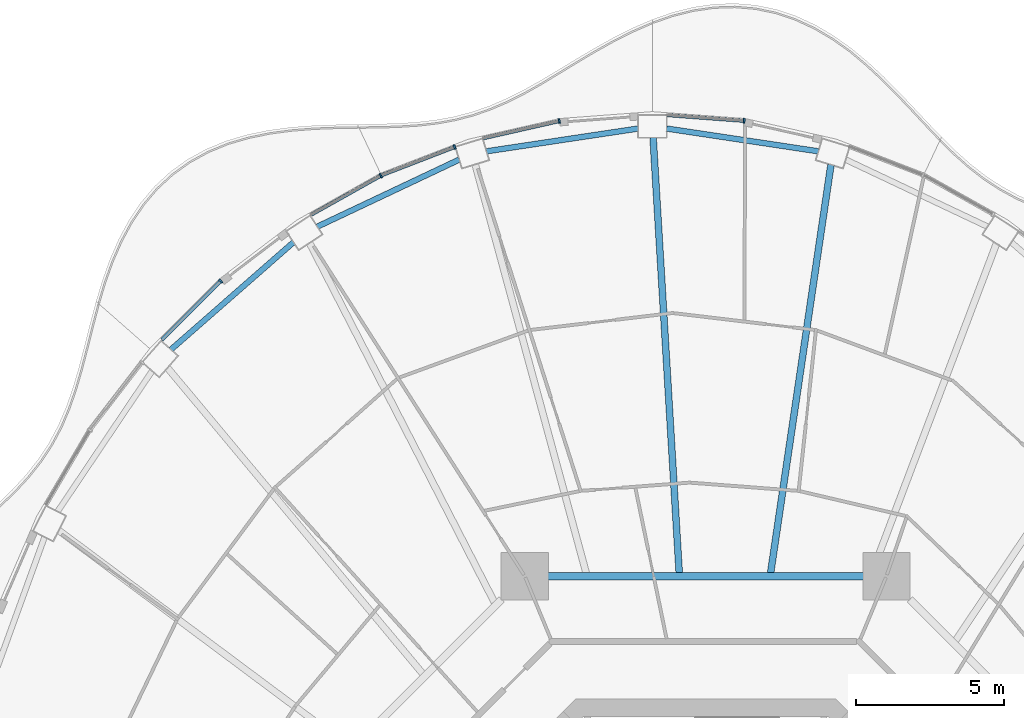
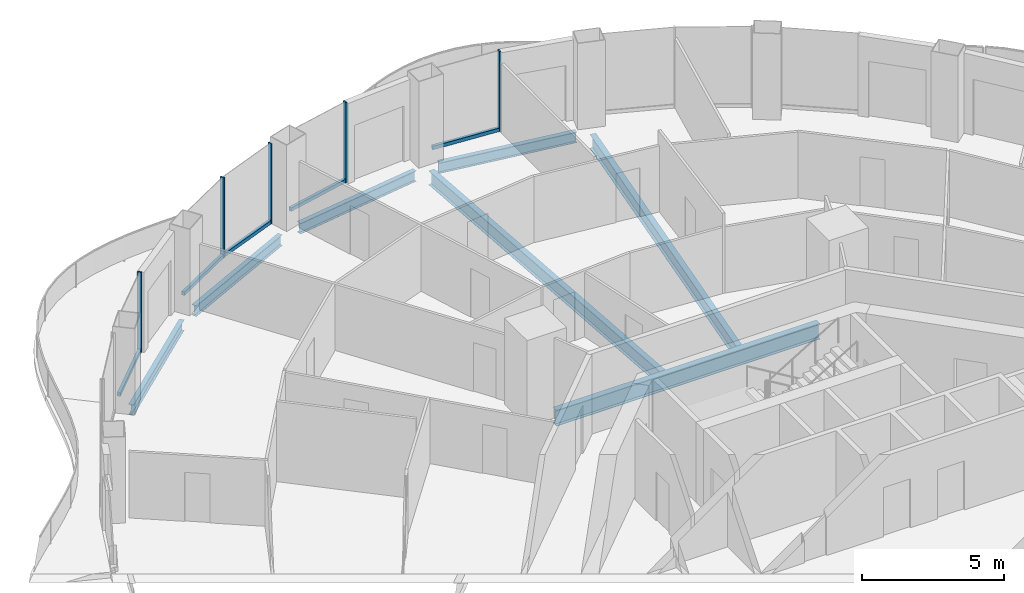
# One storey, part 6 of 18: 10 members, 7 beams, 5 elements without a shape of their own.
"""IFC4 building model written with IfcOpenShell, lengths in metres."""

from ifc_helpers import new_model, si_unit, direction, frame, origin, origin_2d, place, context, subcontext, project, spatial, rectangle, i_section, extrude, material, layer, layer_set, material_profile, profile_set, type_object, element, aggregate, save


model = new_model("IFC4")

# Units and contexts
model_context = context("Model", 3, precision=1e-05, world=origin(), true_north=direction((0.0, 1.0)))
body_context = subcontext(model_context, "Body", "Model", "MODEL_VIEW")
ifc_project = project(units=[si_unit("LENGTHUNIT", "METRE"), si_unit("AREAUNIT", "SQUARE_METRE"), si_unit("VOLUMEUNIT", "CUBIC_METRE"), si_unit("PLANEANGLEUNIT", "RADIAN"), si_unit("MASSUNIT", "GRAM", prefix="KILO")], contexts=[model_context])

# Site, building, storey
site_placement = place(None, origin())
site = spatial("IfcSite", under=ifc_project, at=site_placement, CompositionType="ELEMENT")
building_placement = place(site_placement, origin())
building = spatial("IfcBuilding", under=site, at=building_placement, Name="Nagisa Residences", CompositionType="ELEMENT")
storey_placement = place(building_placement, frame((0.0, 0.0, 215.89990234375)))
storey = spatial("IfcBuildingStorey", under=building, at=storey_placement, Name="L54", CompositionType="ELEMENT", Elevation=215.89990234375)

# Curtain wall, member
ifc_material_1 = material(Name="Concrete-coloured aluminium curtain wall system", Category="concrete")
ifc_layer = layer(ifc_material_1, 0.159912109375)
ifc_layer_set = layer_set([ifc_layer], Name="CW1 CURTAIN WALL")
curtain_wall_type = type_object("IfcCurtainWallType", Name="CW1 CURTAIN WALL", PredefinedType="NOTDEFINED", material=ifc_layer_set)
curtain_wall_1_placement = place(storey_placement, origin())
curtain_wall_1 = element("IfcCurtainWall", 1, at=curtain_wall_1_placement, inside=storey, type_object=curtain_wall_type, Name="cw:CW1:L54:11", PredefinedType="NOTDEFINED")
ifc_material_2 = material(Name="Concrete-coloured aluminium", Category="concrete")
ifc_material_profile_1 = material_profile(ifc_material_2, rectangle(XDim=0.159912109375, YDim=0.06005859375, at=origin_2d()), Name="CW1 MULLION 160x60")
ifc_profile_set_1 = profile_set([ifc_material_profile_1], Name="Concrete-coloured aluminium")
member_type_1 = type_object("IfcMemberType", Name="CW1 MULLION 160x60", PredefinedType="MULLION", material=ifc_profile_set_1)
member_1_placement = place(storey_placement, frame((1.305908203125, 30.19580078125, 0.0), z_axis=(0.0, 0.0, 1.0), x_axis=(-0.074377355493, -0.997230168512, 0.0)))
member_1 = element("IfcMember", 2, at=member_1_placement, type_object=member_type_1, Name="CW1 mullion", PredefinedType="MULLION", context=body_context, shape_type="SweptSolid", body=[
    extrude(rectangle(XDim=0.159912109375, YDim=0.06005859375, at=origin_2d()), origin(), (0.0, 0.0, 1.0), 3.440185546875),
])

curtain_wall_2_placement = place(storey_placement, origin())
curtain_wall_2 = element("IfcCurtainWall", 3, at=curtain_wall_2_placement, inside=storey, type_object=curtain_wall_type, Name="cw:CW1:L54:13", PredefinedType="NOTDEFINED")
member_2_placement = place(storey_placement, frame((-4.953369140625, 30.188720703125, 0.0), z_axis=(0.0, 0.0, 1.0), x_axis=(0.2207639201, -0.975327274089, 0.0)))
member_2 = element("IfcMember", 4, at=member_2_placement, type_object=member_type_1, Name="CW1 mullion", PredefinedType="MULLION", context=body_context, shape_type="SweptSolid", body=[
    extrude(rectangle(XDim=0.159912109375, YDim=0.06005859375, at=origin_2d()), origin(), (0.0, 0.0, 1.0), 3.440185546875),
])

curtain_wall_3_placement = place(storey_placement, origin())
curtain_wall_3 = element("IfcCurtainWall", 5, at=curtain_wall_3_placement, inside=storey, type_object=curtain_wall_type, Name="cw:CW1:L54:14", PredefinedType="NOTDEFINED")
member_3_placement = place(storey_placement, frame((-8.495361328125, 29.308837890625, 0.0), z_axis=(0.0, 0.0, 1.0), x_axis=(0.360327770268, -0.932825759707, 0.0)))
member_3 = element("IfcMember", 6, at=member_3_placement, type_object=member_type_1, Name="CW1 mullion", PredefinedType="MULLION", context=body_context, shape_type="SweptSolid", body=[
    extrude(rectangle(XDim=0.159912109375, YDim=0.06005859375, at=origin_2d()), origin(), (0.0, 0.0, 1.0), 3.440185546875),
])

curtain_wall_4_placement = place(storey_placement, origin())
curtain_wall_4 = element("IfcCurtainWall", 7, at=curtain_wall_4_placement, inside=storey, type_object=curtain_wall_type, Name="cw:CW1:L54:15", PredefinedType="NOTDEFINED")
member_4_placement = place(storey_placement, frame((-10.998291015625, 28.33837890625, 0.0), z_axis=(0.0, 0.0, 1.0), x_axis=(0.489376918501, -0.872072377523, 0.0)))
member_4 = element("IfcMember", 8, at=member_4_placement, type_object=member_type_1, Name="CW1 mullion", PredefinedType="MULLION", context=body_context, shape_type="SweptSolid", body=[
    extrude(rectangle(XDim=0.159912109375, YDim=0.06005859375, at=origin_2d()), origin(), (0.0, 0.0, 1.0), 3.440185546875),
])

curtain_wall_5_placement = place(storey_placement, origin())
curtain_wall_5 = element("IfcCurtainWall", 9, at=curtain_wall_5_placement, inside=storey, type_object=curtain_wall_type, Name="cw:CW1:L54:17", PredefinedType="NOTDEFINED")
member_5_placement = place(storey_placement, frame((-16.417724609375, 24.769775390625, 0.0), z_axis=(0.0, 0.0, 1.0), x_axis=(0.706376885714, -0.707835924016, 0.0)))
member_5 = element("IfcMember", 10, at=member_5_placement, type_object=member_type_1, Name="CW1 mullion", PredefinedType="MULLION", context=body_context, shape_type="SweptSolid", body=[
    extrude(rectangle(XDim=0.159912109375, YDim=0.06005859375, at=origin_2d()), origin(), (0.0, 0.0, 1.0), 3.440185546875),
])

# Member
ifc_material_3 = material(Name="Concrete-coloured aluminium", Category="concrete")
ifc_material_profile_2 = material_profile(ifc_material_3, rectangle(XDim=0.1201171875, YDim=0.14990234375, at=origin_2d()), Name="CW1 TRANSOM 120x150")
ifc_profile_set_2 = profile_set([ifc_material_profile_2], Name="Concrete-coloured aluminium")
member_type_2 = type_object("IfcMemberType", Name="CW1 TRANSOM 120x150", PredefinedType="USERDEFINED", material=ifc_profile_set_2)
member_6_placement = place(storey_placement, frame((1.335693359375, 30.193603515625, 0.0751953125), z_axis=(-0.997233213085, 0.074336523458, 0.0), x_axis=(-0.074336523458, -0.997233213085, 0.0)))
member_6 = element("IfcMember", 11, at=member_6_placement, type_object=member_type_2, Name="CW1 transom", ObjectType="TRANSOM", PredefinedType="USERDEFINED", context=body_context, shape_type="SweptSolid", body=[
    extrude(rectangle(XDim=0.1201171875, YDim=0.14990234375, at=origin_2d()), origin(), (0.0, 0.0, 1.0), 2.650390625),
])

aggregate(curtain_wall_1, [member_1, member_6])

member_7_placement = place(storey_placement, frame((-4.924072265625, 30.1953125, 0.0751953125), z_axis=(-0.975324089124, -0.220777990694, 0.0), x_axis=(0.220777990694, -0.975324089124, 0.0)))
member_7 = element("IfcMember", 12, at=member_7_placement, type_object=member_type_2, Name="CW1 transom", ObjectType="TRANSOM", PredefinedType="USERDEFINED", context=body_context, shape_type="SweptSolid", body=[
    extrude(rectangle(XDim=0.1201171875, YDim=0.14990234375, at=origin_2d()), origin(), (0.0, 0.0, 1.0), 2.666015625),
])

aggregate(curtain_wall_2, [member_2, member_7])

member_8_placement = place(storey_placement, frame((-8.46728515625, 29.319580078125, 0.0751953125), z_axis=(-0.932838255163, -0.360295420044, 0.0), x_axis=(0.360295420044, -0.932838255163, 0.0)))
member_8 = element("IfcMember", 13, at=member_8_placement, type_object=member_type_2, Name="CW1 transom", ObjectType="TRANSOM", PredefinedType="USERDEFINED", context=body_context, shape_type="SweptSolid", body=[
    extrude(rectangle(XDim=0.1201171875, YDim=0.14990234375, at=origin_2d()), origin(), (0.0, 0.0, 1.0), 2.6962890625),
])

aggregate(curtain_wall_3, [member_3, member_8])

member_9_placement = place(storey_placement, frame((-10.971923828125, 28.35302734375, 0.0751953125), z_axis=(-0.872063230277, -0.489393218586, 0.0), x_axis=(0.489393218586, -0.872063230277, 0.0)))
member_9 = element("IfcMember", 14, at=member_9_placement, type_object=member_type_2, Name="CW1 transom", ObjectType="TRANSOM", PredefinedType="USERDEFINED", context=body_context, shape_type="SweptSolid", body=[
    extrude(rectangle(XDim=0.1201171875, YDim=0.14990234375, at=origin_2d()), origin(), (0.0, 0.0, 1.0), 2.73828125),
])

aggregate(curtain_wall_4, [member_4, member_9])

member_10_placement = place(storey_placement, frame((-16.396484375, 24.791015625, 0.0751953125), z_axis=(-0.707836044127, -0.706376765356, 0.0), x_axis=(0.706376765356, -0.707836044127, 0.0)))
member_10 = element("IfcMember", 15, at=member_10_placement, type_object=member_type_2, Name="CW1 transom", ObjectType="TRANSOM", PredefinedType="USERDEFINED", context=body_context, shape_type="SweptSolid", body=[
    extrude(rectangle(XDim=0.1201171875, YDim=0.14990234375, at=origin_2d()), origin(), (0.0, 0.0, 1.0), 2.84423828125),
])

aggregate(curtain_wall_5, [member_5, member_10])

# Beams
ifc_material_4 = material(Name="Steel ASTM A572 Gr 50", Category="steel")
ifc_material_profile_3 = material_profile(ifc_material_4, i_section(OverallWidth=0.2529296875, OverallDepth=0.677978515625, WebThickness=0.01171875, FlangeThickness=0.016357421875, at=origin_2d()), Name="W690x125")
ifc_profile_set_3 = profile_set([ifc_material_profile_3], Name="Steel ASTM A572 Gr 50")
beam_type_1 = type_object("IfcBeamType", Name="Inner ring beam W690x125", PredefinedType="BEAM", material=ifc_profile_set_3)
beam_1_placement = place(storey_placement, frame((5.343017578125, 14.781982421875, -0.598876953125), z_axis=(-1.0, 0.0, 0.0), x_axis=(0.0, -1.0, 0.0)))
element("IfcBeam", 16, at=beam_1_placement, inside=storey, type_object=beam_type_1, Name="beam:L54:ib2", PredefinedType="BEAM", context=body_context, shape_type="SweptSolid", body=[
    extrude(i_section(OverallWidth=0.2529296875, OverallDepth=0.677978515625, WebThickness=0.01171875, FlangeThickness=0.016357421875, at=origin_2d()), origin(), (0.0, 0.0, 1.0), 10.68603515625),
])
ifc_material_5 = material(Name="Steel ASTM A572 Gr 50", Category="steel")
ifc_material_profile_4 = material_profile(ifc_material_5, i_section(OverallWidth=0.18994140625, OverallDepth=0.45703125, WebThickness=0.009033203125, FlangeThickness=0.014404296875, at=origin_2d()), Name="W460x74")
ifc_profile_set_4 = profile_set([ifc_material_profile_4], Name="Steel ASTM A572 Gr 50")
beam_type_2 = type_object("IfcBeamType", Name="Perimeter ring beam W460x74", PredefinedType="BEAM", material=ifc_profile_set_4)
for number, where, z_axis, x_axis, name in (
    (17, (3.8203125, 29.16357421875, -0.48828125), (-0.988909463745, 0.148519603133, 0.0), (-0.148519603133, -0.988909463745, 0.0), "beam:L54:pb06"),
    (18, (-2.2802734375, 29.935546875, -0.48828125), (-0.988909463745, -0.148519603133, 0.0), (0.148519603133, -0.988909463745, 0.0), "beam:L54:pb07"),
):
    element("IfcBeam", number, at=place(storey_placement, frame(where, z_axis=z_axis, x_axis=x_axis)), inside=storey, type_object=beam_type_2, Name=name, PredefinedType="BEAM", context=body_context, shape_type="SweptSolid", body=[
        extrude(i_section(OverallWidth=0.18994140625, OverallDepth=0.45703125, WebThickness=0.009033203125, FlangeThickness=0.014404296875, at=origin_2d()), origin(), (0.0, 0.0, 1.0), 5.19775390625),
    ])
beam_2_placement = place(storey_placement, frame((-8.339111328125, 28.884033203125, -0.48828125), z_axis=(-0.904133867308, -0.42724928319, 0.0), x_axis=(0.42724928319, -0.904133867308, 0.0)))
element("IfcBeam", 19, at=beam_2_placement, inside=storey, type_object=beam_type_2, Name="beam:L54:pb08", PredefinedType="BEAM", context=body_context, shape_type="SweptSolid", body=[
    extrude(i_section(OverallWidth=0.18994140625, OverallDepth=0.45703125, WebThickness=0.009033203125, FlangeThickness=0.014404296875, at=origin_2d()), origin(), (0.0, 0.0, 1.0), 5.317138671875),
])
beam_3_placement = place(storey_placement, frame((-13.94970703125, 26.085693359375, -0.48828125), z_axis=(-0.75242320672, -0.65867998147, 0.0), x_axis=(0.65867998147, -0.75242320672, 0.0)))
element("IfcBeam", 20, at=beam_3_placement, inside=storey, type_object=beam_type_2, Name="beam:L54:pb09", PredefinedType="BEAM", context=body_context, shape_type="SweptSolid", body=[
    extrude(i_section(OverallWidth=0.18994140625, OverallDepth=0.45703125, WebThickness=0.009033203125, FlangeThickness=0.014404296875, at=origin_2d()), origin(), (0.0, 0.0, 1.0), 5.5185546875),
])
ifc_material_6 = material(Name="Steel ASTM A572 Gr 50", Category="steel")
ifc_material_profile_5 = material_profile(ifc_material_6, i_section(OverallWidth=0.22802734375, OverallDepth=0.60302734375, WebThickness=0.010498046875, FlangeThickness=0.014892578125, at=origin_2d()), Name="W610x101")
ifc_profile_set_5 = profile_set([ifc_material_profile_5], Name="Steel ASTM A572 Gr 50")
beam_type_3 = type_object("IfcBeamType", Name="Radial beam W610x101", PredefinedType="BEAM", material=ifc_profile_set_5)
beam_4_placement = place(storey_placement, frame((4.244140625, 28.711181640625, -0.5615234375), z_axis=(-0.146228868188, -0.989250786256, 0.0), x_axis=(0.989250786256, -0.146228868188, 0.0)))
element("IfcBeam", 21, at=beam_4_placement, inside=storey, type_object=beam_type_3, Name="beam:L54:rb06", PredefinedType="BEAM", context=body_context, shape_type="SweptSolid", body=[
    extrude(i_section(OverallWidth=0.22802734375, OverallDepth=0.60302734375, WebThickness=0.010498046875, FlangeThickness=0.014892578125, at=origin_2d()), origin(), (0.0, 0.0, 1.0), 13.97265625),
])
beam_5_placement = place(storey_placement, frame((-1.777099609375, 29.627685546875, -0.5615234375), z_axis=(0.059871531939, -0.998206090776, 0.0), x_axis=(0.998206090776, 0.059871531939, 0.0)))
element("IfcBeam", 22, at=beam_5_placement, inside=storey, type_object=beam_type_3, Name="beam:L54:rb07", PredefinedType="BEAM", context=body_context, shape_type="SweptSolid", body=[
    extrude(i_section(OverallWidth=0.22802734375, OverallDepth=0.60302734375, WebThickness=0.010498046875, FlangeThickness=0.014892578125, at=origin_2d()), origin(), (0.0, 0.0, 1.0), 14.765380859375),
])

save(model, "model.ifc")
